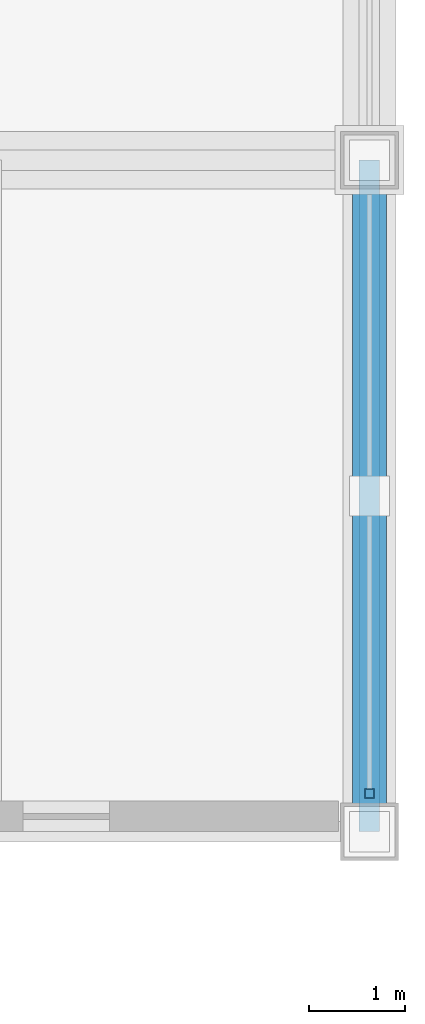
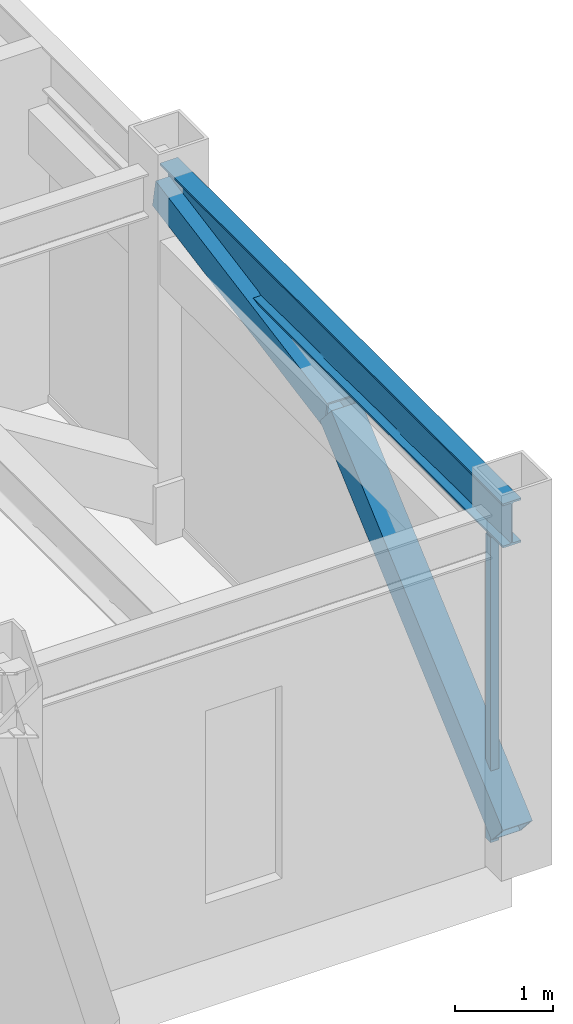
# One storey, part 10 of 32: 3 members, 1 beam, 1 element without a shape of its own.
"""IFC4 building model written with IfcOpenShell, lengths in metres."""

import ifcopenshell
import ifcopenshell.guid

model = None  # the IFC model being written
_history = None  # IfcOwnerHistory: only IFC2X3 demands one
_inside = {}  # id of a spatial element -> (the spatial element, [elements in it])
_under = {}  # id of a project, library or spatial element -> (it, [spatial elements below it])
_declared = {}  # id of a project -> (the project, [libraries it declares])
_typed = {}  # id of a type object -> (the type object, [elements of that type])
_made_of = {}  # id of a material, layer set ... -> (it, [elements and type objects made of it])


def new_model(schema):
    """Start an empty IFC model of exactly this schema.

    Asked for "IFC4X3", IfcOpenShell would pick the latest addendum, in which some entities
    have other attributes; the version numbers below select the first issue.
    IFC2X3 requires an IfcOwnerHistory on every rooted entity: one is made here for all.
    """
    global model, _history
    if schema == "IFC4X3":
        model = ifcopenshell.file(schema_version=(4, 3, 0, 0))
    else:
        model = ifcopenshell.file(schema=schema)
    _inside.clear()
    _under.clear()
    _declared.clear()
    _typed.clear()
    _made_of.clear()
    _history = None
    if model.schema == "IFC2X3":
        org = make("IfcOrganization", Name="unknown")
        user = make(
            "IfcPersonAndOrganization",
            ThePerson=make("IfcPerson", FamilyName="unknown"),
            TheOrganization=org,
        )
        app = make(
            "IfcApplication",
            ApplicationDeveloper=org,
            Version="unknown",
            ApplicationFullName="unknown",
            ApplicationIdentifier="unknown",
        )
        _history = make(
            "IfcOwnerHistory",
            OwningUser=user,
            OwningApplication=app,
            ChangeAction="ADDED",
            CreationDate=0,
        )
    return model


def make(cls, **values):
    """One entity of the class cls with the attributes given. An attribute that is None is left unset."""
    return model.create_entity(
        cls, **{name: value for name, value in values.items() if value is not None}
    )


def rooted(cls, **values):
    """An entity with a GlobalId (a new one), such as an element, a storey or a relation."""
    return make(cls, GlobalId=ifcopenshell.guid.new(), OwnerHistory=_history, **values)


def si_unit(unit_type, name, prefix=None):
    """IfcSIUnit, for example si_unit("LENGTHUNIT", "METRE", prefix="MILLI")."""
    return make("IfcSIUnit", UnitType=unit_type, Prefix=prefix, Name=name)


def assignment(units):
    """IfcUnitAssignment: the units of a project."""
    return None if units is None else make("IfcUnitAssignment", Units=units)


def point(xyz):
    """IfcCartesianPoint."""
    return None if xyz is None else make("IfcCartesianPoint", Coordinates=xyz)


def direction(xyz):
    """IfcDirection."""
    return None if xyz is None else make("IfcDirection", DirectionRatios=xyz)


def frame(location, z_axis=None, x_axis=None):
    """IfcAxis2Placement3D, a coordinate frame: its origin and axes. An axis left out is left unset."""
    return make(
        "IfcAxis2Placement3D",
        Location=point(location),
        Axis=direction(z_axis),
        RefDirection=direction(x_axis),
    )


def frame_2d(location, x_axis=None):
    """IfcAxis2Placement2D, a coordinate frame in the plane: its origin and x axis."""
    return make(
        "IfcAxis2Placement2D", Location=point(location), RefDirection=direction(x_axis)
    )


def origin():
    """The frame at (0, 0, 0) with its axes left unset."""
    return frame((0.0, 0.0, 0.0))


def origin_2d():
    """The frame at (0, 0) in the plane with its x axis left unset."""
    return frame_2d((0.0, 0.0))


def place(relative_to, where):
    """IfcLocalPlacement: puts the frame where relative to a parent placement (None: the world)."""
    return make(
        "IfcLocalPlacement", PlacementRelTo=relative_to, RelativePlacement=where
    )


def context(
    kind, dimensions, precision=None, world=None, true_north=None, identifier=None
):
    """IfcGeometricRepresentationContext, for example the 3D "Model" context."""
    return make(
        "IfcGeometricRepresentationContext",
        ContextIdentifier=identifier,
        ContextType=kind,
        CoordinateSpaceDimension=dimensions,
        Precision=precision,
        WorldCoordinateSystem=world,
        TrueNorth=true_north,
    )


def subcontext(parent, identifier, kind, view, scale=None):
    """IfcGeometricRepresentationSubContext, for example "Body" below "Model"."""
    return make(
        "IfcGeometricRepresentationSubContext",
        ContextIdentifier=identifier,
        ContextType=kind,
        ParentContext=parent,
        TargetScale=scale,
        TargetView=view,
    )


def project(units=None, contexts=None):
    """IfcProject with its units and contexts."""
    return rooted(
        "IfcProject",
        Name="project",
        RepresentationContexts=contexts,
        UnitsInContext=assignment(units),
    )


def spatial(cls, under=None, at=None, **own):
    """A site, building, storey or space (cls), placed at a placement, below another one or the project."""
    s = rooted(cls, ObjectPlacement=at, **own)
    if under is not None:
        _under.setdefault(under.id(), (under, []))[1].append(s)
    return s


def profile(cls, at=None, kind="AREA", **sizes):
    """A parametric profile (cls). Its sizes go by their IFC names, for example OverallWidth=200.0."""
    return make(cls, ProfileType=kind, Position=at, **sizes)


def hollow_rectangle(**sizes):
    """IfcRectangleHollowProfileDef."""
    return profile("IfcRectangleHollowProfileDef", **sizes)


def i_section(**sizes):
    """IfcIShapeProfileDef."""
    return profile("IfcIShapeProfileDef", **sizes)


def extrude(swept, where, along, depth):
    """IfcExtrudedAreaSolid: the profile swept, set in the frame where, extruded along a direction by depth."""
    return make(
        "IfcExtrudedAreaSolid",
        SweptArea=swept,
        Position=where,
        ExtrudedDirection=direction(along),
        Depth=depth,
    )


def shape(context_of_items, identifier, shape_type, items):
    """IfcShapeRepresentation: the items that make up one representation, for example the "Body"."""
    return make(
        "IfcShapeRepresentation",
        ContextOfItems=context_of_items,
        RepresentationIdentifier=identifier,
        RepresentationType=shape_type,
        Items=items,
    )


def source(mapping_origin, context_of_items, identifier, shape_type, items):
    """IfcRepresentationMap: a shape defined once, which mapped items show again and again."""
    return make(
        "IfcRepresentationMap",
        MappingOrigin=mapping_origin,
        MappedRepresentation=shape(context_of_items, identifier, shape_type, items),
    )


def transform(
    local_origin,
    x_axis=None,
    y_axis=None,
    z_axis=None,
    scale=None,
    scale2=None,
    scale3=None,
    uniform=True,
):
    """IfcCartesianTransformationOperator3D, or its non-uniform kind. x_axis, y_axis, z_axis: its Axis1, 2, 3."""
    if uniform:
        return make(
            "IfcCartesianTransformationOperator3D",
            Axis1=direction(x_axis),
            Axis2=direction(y_axis),
            LocalOrigin=point(local_origin),
            Scale=scale,
            Axis3=direction(z_axis),
        )
    return make(
        "IfcCartesianTransformationOperator3DnonUniform",
        Axis1=direction(x_axis),
        Axis2=direction(y_axis),
        LocalOrigin=point(local_origin),
        Scale=scale,
        Axis3=direction(z_axis),
        Scale2=scale2,
        Scale3=scale3,
    )


def mapped(mapping_source, mapping_target):
    """IfcMappedItem: shows the shape of a source again, moved by a transform."""
    return make(
        "IfcMappedItem", MappingSource=mapping_source, MappingTarget=mapping_target
    )


def material(Name=None, Category=None):
    """IfcMaterial."""
    return make("IfcMaterial", Name=Name, Category=Category)


def material_profile(
    of_material, cross_section, Name=None, Category=None, Priority=None
):
    """IfcMaterialProfile: a cross section and its material."""
    return make(
        "IfcMaterialProfile",
        Name=Name,
        Material=of_material,
        Profile=cross_section,
        Priority=Priority,
        Category=Category,
    )


def profile_set(profiles, Name=None, composite=None):
    """IfcMaterialProfileSet."""
    return make(
        "IfcMaterialProfileSet",
        Name=Name,
        MaterialProfiles=profiles,
        CompositeProfile=composite,
    )


def made_of(thing, what):
    """Note that an element or type object is made of a material, layer set ...; save() writes the relation."""
    if what is not None:
        _made_of.setdefault(what.id(), (what, []))[1].append(thing)
    return thing


def type_object(cls, material=None, **own):
    """A type object (cls), such as IfcWallType, which elements share."""
    return made_of(rooted(cls, **own), material)


def element(
    cls,
    number,
    at=None,
    inside=None,
    cuts=None,
    type_object=None,
    material=None,
    context=None,
    identifier="Body",
    shape_type=None,
    held_by="IfcProductDefinitionShape",
    body=None,
    shapes=None,
    **own,
):
    """One element of the class cls, such as IfcWall. Its Tag is "e" and its number.

    at: its placement. inside: the storey or other place that contains it. cuts: it is an
    opening in that element (IfcRelVoidsElement). A single representation is given by context,
    identifier, shape_type and body (its items); several are given by shapes. held_by: the class
    of the entity that holds the representations. save() writes the other relations.
    """
    e = rooted(cls, Tag="e%d" % number, ObjectPlacement=at, **own)
    if body is not None:
        shapes = [shape(context, identifier, shape_type, body)]
    if shapes is not None:
        e.Representation = make(held_by, Representations=shapes)
    if inside is not None:
        _inside.setdefault(inside.id(), (inside, []))[1].append(e)
    if cuts is not None:
        rooted(
            "IfcRelVoidsElement", RelatingBuildingElement=cuts, RelatedOpeningElement=e
        )
    if type_object is not None:
        _typed.setdefault(type_object.id(), (type_object, []))[1].append(e)
    return made_of(e, material)


def aggregate(whole, parts):
    """IfcRelAggregates: a whole, such as a stair, and the parts it consists of."""
    return rooted("IfcRelAggregates", RelatingObject=whole, RelatedObjects=parts)


def save(model, path):
    """Write the relations noted so far, then the file.

    IfcRelAggregates (storeys below a building ...), IfcRelContainedInSpatialStructure (elements
    in a storey), IfcRelDefinesByType, IfcRelAssociatesMaterial and IfcRelDeclares: one each for
    every whole, place, type object, material and project.
    """
    for whole, parts in _under.values():
        aggregate(whole, parts)
    for where, things in _inside.values():
        rooted(
            "IfcRelContainedInSpatialStructure",
            RelatedElements=things,
            RelatingStructure=where,
        )
    for kind, things in _typed.values():
        rooted("IfcRelDefinesByType", RelatedObjects=things, RelatingType=kind)
    for what, things in _made_of.values():
        rooted("IfcRelAssociatesMaterial", RelatedObjects=things, RelatingMaterial=what)
    for by, libraries in _declared.values():
        rooted("IfcRelDeclares", RelatingContext=by, RelatedDefinitions=libraries)
    model.write(path)


model = new_model("IFC4")

# Units and contexts
model_context = context("Model", 3, precision=1e-05, world=origin(), true_north=direction((0.0, 1.0)))
body_context = subcontext(model_context, "Body", "Model", "MODEL_VIEW")
ifc_project = project(units=[si_unit("LENGTHUNIT", "METRE"), si_unit("AREAUNIT", "SQUARE_METRE"), si_unit("VOLUMEUNIT", "CUBIC_METRE"), si_unit("PLANEANGLEUNIT", "RADIAN"), si_unit("MASSUNIT", "GRAM", prefix="KILO")], contexts=[model_context])

# Site, building, storey
site_placement = place(None, origin())
site = spatial("IfcSite", under=ifc_project, at=site_placement, CompositionType="ELEMENT")
building_placement = place(site_placement, origin())
building = spatial("IfcBuilding", under=site, at=building_placement, Name="Khorayat Bourse Tower", CompositionType="ELEMENT")
storey_placement = place(building_placement, frame((0.0, 0.0, 375.5)))
storey = spatial("IfcBuildingStorey", under=building, at=storey_placement, Name="L89", CompositionType="ELEMENT", Elevation=375.5)

# Beam
ifc_material_1 = material(Name="Steel ASTM A992 Grade 50", Category="steel")
ifc_material_profile_1 = material_profile(ifc_material_1, i_section(OverallWidth=0.214111328125, OverallDepth=0.549072265625, WebThickness=0.0146484375, FlangeThickness=0.023681640625, FilletRadius=0.013916015625, at=origin_2d()), Name="W530X138")
ifc_profile_set_1 = profile_set([ifc_material_profile_1], Name="Steel ASTM A992 Grade 50")
beam_type = type_object("IfcBeamType", Name="BM-SPAN-530", PredefinedType="SPANDREL", material=ifc_profile_set_1)
shared_shape_1 = source(origin(), body_context, "Body", "SweptSolid", [
    extrude(i_section(OverallWidth=0.214111328125, OverallDepth=0.549072265625, WebThickness=0.0146484375, FlangeThickness=0.023681640625, FilletRadius=0.013916015625, at=origin_2d()), origin(), (0.0, 0.0, 1.0), 7.0),
])
beam_placement = place(storey_placement, frame((24.0, -18.0, 4.175537109375), z_axis=(0.0, 1.0, 0.0), x_axis=(-1.0, 0.0, 0.0)))
element("IfcBeam", 1, at=beam_placement, inside=storey, type_object=beam_type, Name="L89 BM-SPAN-530 BM-L89-SPN-032", PredefinedType="SPANDREL", context=body_context, shape_type="MappedRepresentation", body=[
    mapped(shared_shape_1, transform((0.0, 0.0, 0.0), scale=1.0)),
])

# Members
ifc_material_2 = material(Name="Steel EN 10025-2 S355J2", Category="steel")
ifc_material_profile_2 = material_profile(ifc_material_2, hollow_rectangle(XDim=0.35009765625, YDim=0.35009765625, WallThickness=0.02001953125, at=origin_2d()), Name="HSS 350x350x20")
ifc_profile_set_2 = profile_set([ifc_material_profile_2], Name="Steel EN 10025-2 S355J2")
member_type_1 = type_object("IfcMemberType", Name="MBR-CROWN-350", PredefinedType="USERDEFINED", material=ifc_profile_set_2)
shared_shape_2 = source(origin(), body_context, "Body", "SweptSolid", [
    extrude(hollow_rectangle(XDim=0.35009765625, YDim=0.35009765625, WallThickness=0.02001953125, at=origin_2d()), origin(), (0.0, 0.0, 1.0), 3.559814453125),
])
member_1_placement = place(storey_placement, frame((24.0, -14.5, 3.449951171875), z_axis=(0.0, 0.983181348138, 0.18263197057), x_axis=(-1.0, 0.0, 0.0)))
element("IfcMember", 2, at=member_1_placement, inside=storey, type_object=member_type_1, Name="L89 Lantern Crown Frame Member 22", ObjectType="CROWN FRAME", PredefinedType="USERDEFINED", context=body_context, shape_type="MappedRepresentation", body=[
    mapped(shared_shape_2, transform((0.0, 0.0, 0.0), scale=1.0)),
])
shared_shape_3 = source(origin(), body_context, "Body", "SweptSolid", [
    extrude(hollow_rectangle(XDim=0.35009765625, YDim=0.35009765625, WallThickness=0.02001953125, at=origin_2d()), origin(), (0.0, 0.0, 1.0), 4.67529296875),
])
member_2_placement = place(storey_placement, frame((24.0, -18.0, 0.35009765625), z_axis=(0.0, 0.748603730842, 0.663017687675), x_axis=(-1.0, 0.0, 0.0)))
element("IfcMember", 3, at=member_2_placement, inside=storey, type_object=member_type_1, Name="L89 Lantern Crown Frame Member 21", ObjectType="CROWN FRAME", PredefinedType="USERDEFINED", context=body_context, shape_type="MappedRepresentation", body=[
    mapped(shared_shape_3, transform((0.0, 0.0, 0.0), scale=1.0)),
])

# Curtain wall, member
ifc_material_3 = material(Name="Aluminium EN AW-6063 T6", Category="aluminium")
curtain_wall_type = type_object("IfcCurtainWallType", Name="CW-SYS-07", PredefinedType="NOTDEFINED", material=ifc_material_3)
curtain_wall_placement = place(storey_placement, origin())
curtain_wall = element("IfcCurtainWall", 4, at=curtain_wall_placement, inside=storey, type_object=curtain_wall_type, Name="L89 Curtain Wall CW-L89-E1", PredefinedType="NOTDEFINED")
ifc_material_profile_3 = material_profile(ifc_material_3, hollow_rectangle(XDim=0.10009765625, YDim=0.10009765625, WallThickness=0.0048828125, at=origin_2d()), Name="ALU 100x100x5")
ifc_profile_set_3 = profile_set([ifc_material_profile_3], Name="Aluminium EN AW-6063 T6")
member_type_2 = type_object("IfcMemberType", Name="CWM-LANTERN-100", PredefinedType="MULLION", material=ifc_profile_set_3)
shared_shape_4 = source(origin(), body_context, "Body", "SweptSolid", [
    extrude(hollow_rectangle(XDim=0.10009765625, YDim=0.10009765625, WallThickness=0.0048828125, at=origin_2d()), origin(), (0.0, 0.0, 1.0), 3.800048828125),
])
member_3_placement = place(storey_placement, frame((24.0, -17.60009765625, 0.0), z_axis=(0.0, 0.0, 1.0), x_axis=(-1.0, 0.0, 0.0)))
member_3 = element("IfcMember", 5, at=member_3_placement, type_object=member_type_2, Name="CW-L89-E1 Vertical Mullion 1", PredefinedType="MULLION", context=body_context, shape_type="MappedRepresentation", body=[
    mapped(shared_shape_4, transform((0.0, 0.0, 0.0), scale=1.0)),
])
aggregate(curtain_wall, [member_3])

save(model, "model.ifc")
